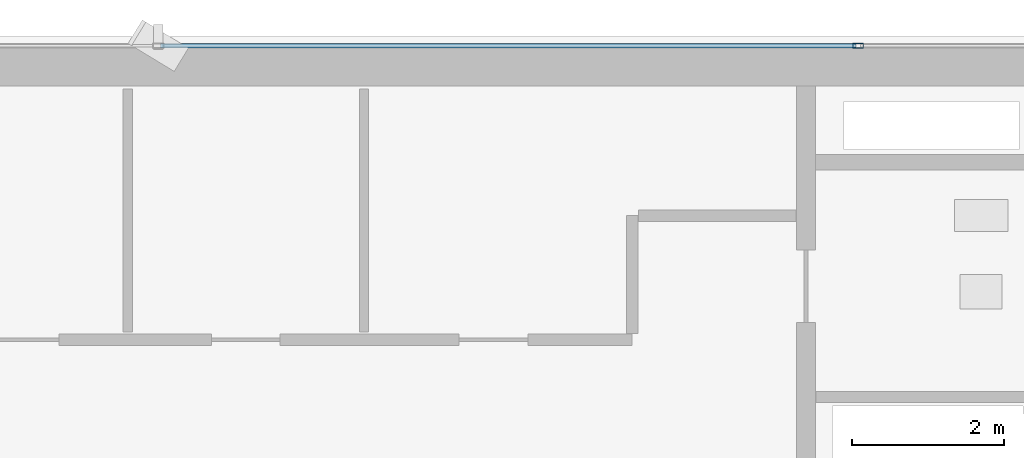
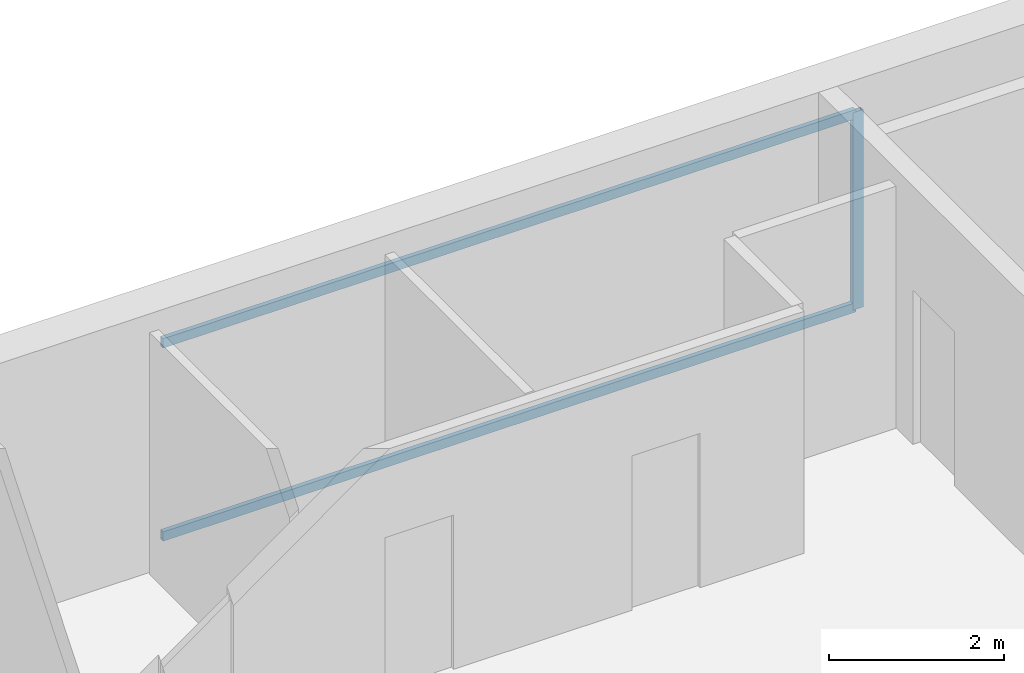
# One storey, part 17 of 26: 3 members, 1 element without a shape of its own.
"""IFC4 building model written with IfcOpenShell, lengths in metres."""

from ifc_helpers import new_model, si_unit, direction, frame, origin, origin_2d, place, context, subcontext, project, spatial, hollow_rectangle, extrude, source, transform, mapped, material, layer, layer_set, material_profile, profile_set, type_object, element, aggregate, save


model = new_model("IFC4")

# Units and contexts
model_context = context("Model", 3, precision=1e-05, world=origin(), true_north=direction((0.0, 1.0)))
body_context = subcontext(model_context, "Body", "Model", "MODEL_VIEW")
ifc_project = project(units=[si_unit("LENGTHUNIT", "METRE"), si_unit("AREAUNIT", "SQUARE_METRE"), si_unit("VOLUMEUNIT", "CUBIC_METRE"), si_unit("PLANEANGLEUNIT", "RADIAN"), si_unit("MASSUNIT", "GRAM", prefix="KILO")], contexts=[model_context])

# Site, building, storey
site_placement = place(None, origin())
site = spatial("IfcSite", under=ifc_project, at=site_placement, CompositionType="ELEMENT")
building_placement = place(site_placement, origin())
building = spatial("IfcBuilding", under=site, at=building_placement, Name="Sumidabori Civic Tower", CompositionType="ELEMENT")
storey_placement = place(building_placement, frame((0.0, 0.0, 261.199951171875)))
storey = spatial("IfcBuildingStorey", under=building, at=storey_placement, Name="L68", CompositionType="ELEMENT", Elevation=261.199951171875)

# Curtain wall, members
ifc_material = material(Name="Anodised Bronze Aluminium AW-6063-T6", Category="aluminium")
ifc_layer = layer(ifc_material, 0.179931640625, Name="Anodised Bronze Aluminium AW-6063-T6")
ifc_layer_set = layer_set([ifc_layer], Name="Anodised Bronze Aluminium AW-6063-T6")
curtain_wall_type = type_object("IfcCurtainWallType", Name="CW-SYS-5", PredefinedType="NOTDEFINED", material=ifc_layer_set)
curtain_wall_placement = place(storey_placement, origin())
curtain_wall = element("IfcCurtainWall", 1, at=curtain_wall_placement, inside=storey, type_object=curtain_wall_type, Name="Curtain Wall CW:L68:R07", PredefinedType="NOTDEFINED")
ifc_material_profile_1 = material_profile(ifc_material, hollow_rectangle(XDim=0.06005859375, YDim=0.1298828125, WallThickness=0.0048828125, at=origin_2d()), Name="ALU TRANSOM 130x60")
ifc_profile_set_1 = profile_set([ifc_material_profile_1], Name="Anodised Bronze Aluminium AW-6063-T6")
member_type_1 = type_object("IfcMemberType", Name="CW-TRN-130", PredefinedType="USERDEFINED", material=ifc_profile_set_1)
shared_shape_1 = source(origin(), body_context, "Body", "SweptSolid", [
    extrude(hollow_rectangle(XDim=0.06005859375, YDim=0.1298828125, WallThickness=0.0048828125, at=origin_2d()), origin(), (0.0, 0.0, 1.0), 9.125),
])
member_1_placement = place(storey_placement, frame((9.155029296875, 24.080078125, 0.030029296875), z_axis=(-1.0, 0.0, 0.0), x_axis=(0.0, -1.0, 0.0)))
member_1 = element("IfcMember", 2, at=member_1_placement, type_object=member_type_1, Name="CW-5 transom 2.1", ObjectType="TRANSOM", PredefinedType="USERDEFINED", context=body_context, shape_type="MappedRepresentation", body=[
    mapped(shared_shape_1, transform((0.0, 0.0, 0.0), x_axis=(1.0, 0.0, 0.0), y_axis=(0.0, 1.0, 0.0), z_axis=(0.0, 0.0, 1.0), scale=1.0)),
])
member_2_placement = place(storey_placement, frame((9.155029296875, 24.080078125, 2.719970703125), z_axis=(-1.0, 0.0, 0.0), x_axis=(0.0, -1.0, 0.0)))
member_2 = element("IfcMember", 3, at=member_2_placement, type_object=member_type_1, Name="CW-5 transom 2.2", ObjectType="TRANSOM", PredefinedType="USERDEFINED", context=body_context, shape_type="MappedRepresentation", body=[
    mapped(shared_shape_1, transform((0.0, 0.0, 0.0), x_axis=(1.0, 0.0, 0.0), y_axis=(0.0, 1.0, 0.0), z_axis=(0.0, 0.0, 1.0), scale=1.0)),
])
ifc_material_profile_2 = material_profile(ifc_material, hollow_rectangle(XDim=0.06005859375, YDim=0.139892578125, WallThickness=0.0048828125, at=origin_2d()), Name="ALU MULLION 140x60")
ifc_profile_set_2 = profile_set([ifc_material_profile_2], Name="Anodised Bronze Aluminium AW-6063-T6")
member_type_2 = type_object("IfcMemberType", Name="CW-MUL-140", PredefinedType="MULLION", material=ifc_profile_set_2)
shared_shape_2 = source(origin(), body_context, "Body", "SweptSolid", [
    extrude(hollow_rectangle(XDim=0.06005859375, YDim=0.139892578125, WallThickness=0.0048828125, at=origin_2d()), origin(), (0.0, 0.0, 1.0), 2.75),
])
member_3_placement = place(storey_placement, frame((9.18505859375, 24.080078125, 0.0), z_axis=(0.0, 0.0, 1.0), x_axis=(0.0, -1.0, 0.0)))
member_3 = element("IfcMember", 4, at=member_3_placement, type_object=member_type_2, Name="CW-5 mullion 2", PredefinedType="MULLION", context=body_context, shape_type="MappedRepresentation", body=[
    mapped(shared_shape_2, transform((0.0, 0.0, 0.0), x_axis=(1.0, 0.0, 0.0), y_axis=(0.0, 1.0, 0.0), z_axis=(0.0, 0.0, 1.0), scale=1.0)),
])
aggregate(curtain_wall, [member_3, member_1, member_2])

save(model, "model.ifc")
